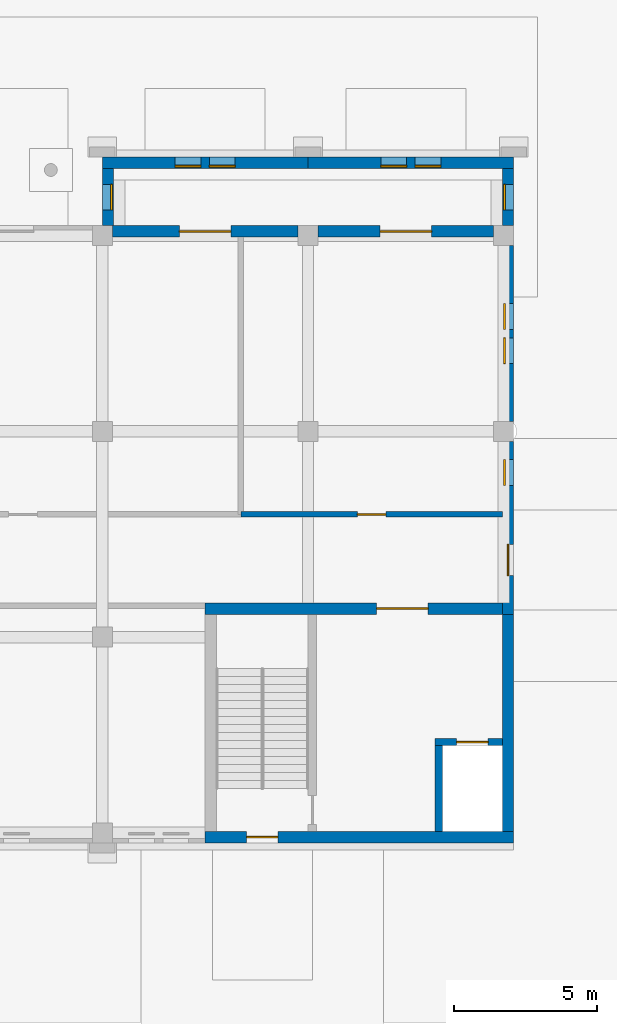
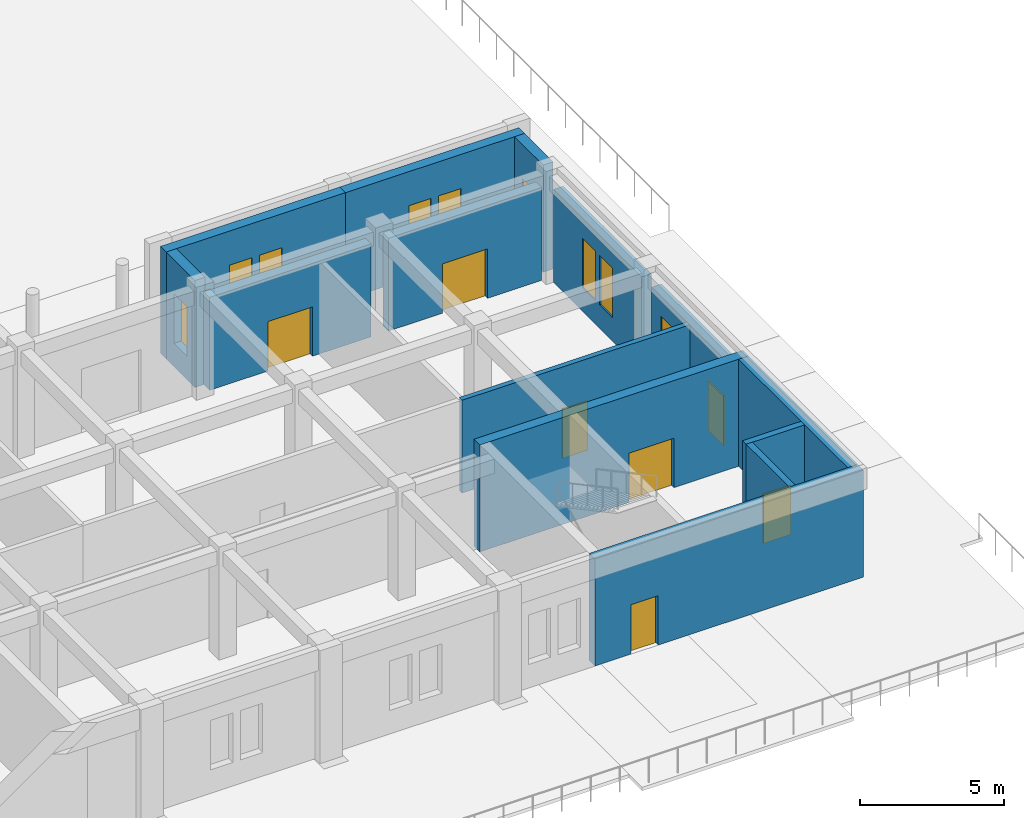
# One storey, part 93 of 131: 14 walls, 9 windows, 7 doors, 16 openings.
"""IFC4 building model written with IfcOpenShell, lengths in metres."""

from ifc_helpers import new_model, si_unit, direction, frame, frame_2d, origin, place, context, subcontext, project, spatial, rectangle, extrude, material, layer, layer_set, type_object, element, fill, save


model = new_model("IFC4")

# Units and contexts
model_context = context("Model", 3, precision=1e-05, world=origin(), true_north=direction((0.0, 1.0)))
body_context = subcontext(model_context, "Body", "Model", "MODEL_VIEW")
ifc_project = project(units=[si_unit("LENGTHUNIT", "METRE"), si_unit("AREAUNIT", "SQUARE_METRE"), si_unit("VOLUMEUNIT", "CUBIC_METRE"), si_unit("PLANEANGLEUNIT", "RADIAN"), si_unit("MASSUNIT", "GRAM", prefix="KILO")], contexts=[model_context])

# Site, building, storey
site_placement = place(None, origin())
site = spatial("IfcSite", under=ifc_project, at=site_placement, CompositionType="ELEMENT")
building_placement = place(site_placement, origin())
building = spatial("IfcBuilding", under=site, at=building_placement, Name="Alderwick Market Hall", CompositionType="ELEMENT")
storey_placement = place(building_placement, frame((0.0, 0.0, 4.800048828125)))
storey = spatial("IfcBuildingStorey", under=building, at=storey_placement, Name="L00", CompositionType="ELEMENT", Elevation=4.800048828125)

# Wall, opening, door
ifc_material_1 = material(Name="Concrete 5000 psi (f'c 35 MPa)", Category="concrete")
ifc_layer_1 = layer(ifc_material_1, 0.39990234375)
ifc_layer_set_1 = layer_set([ifc_layer_1], Name="Concrete 5000 psi (f'c 35 MPa)")
wall_type_1 = type_object("IfcWallType", Name="C Core Wall Concrete 5000 psi 400", PredefinedType="SHEAR", material=ifc_layer_set_1)
wall_1_placement = place(storey_placement, frame((230.39990234375, 7.39990234375, 0.0), z_axis=(0.0, 0.0, 1.0), x_axis=(-1.0, 0.0, 0.0)))
wall_1 = element("IfcWall", 1, at=wall_1_placement, inside=storey, type_object=wall_type_1, Name="C.wall.L00.fac.back.11", PredefinedType="SHEAR", context=body_context, shape_type="SweptSolid", body=[
    extrude(rectangle(XDim=10.7998046875, YDim=0.39990234375, at=frame_2d((5.39990234375, 0.0))), origin(), (0.0, 0.0, 1.0), 4.550048828125),
])
opening_1_placement = place(wall_1_placement, frame((8.25, 0.0, 0.0)))
opening_1 = element("IfcOpeningElement", 2, at=opening_1_placement, cuts=wall_1, Name="Opening C-D044", PredefinedType="OPENING", context=body_context, shape_type="SweptSolid", body=[
    extrude(rectangle(XDim=1.10009765625, YDim=2.10009765625, at=frame_2d((0.550048828125, 1.050048828125))), frame((0.0, 0.2099609375, 0.0), z_axis=(0.0, -1.0, 0.0), x_axis=(1.0, 0.0, 0.0)), (0.0, 0.0, 1.0), 0.419921875),
])
ifc_material_2 = material(Name="Steel, insulated", Category="steel")
door_type_1 = type_object("IfcDoorType", Name="C Exit Door FD60 1100x2100", OperationType="NOTDEFINED", PredefinedType="DOOR", material=ifc_material_2)
door_1_placement = place(opening_1_placement, origin())
door_1 = element("IfcDoor", 3, at=door_1_placement, inside=storey, type_object=door_type_1, Name="C.door.L00.044", OperationType="NOTDEFINED", OverallHeight=2.10009765625, OverallWidth=1.10009765625, PredefinedType="DOOR", context=body_context, shape_type="SweptSolid", body=[
    extrude(rectangle(XDim=1.10009765625, YDim=2.10009765625, at=frame_2d((0.550048828125, 1.050048828125))), frame((0.0, 0.02490234375, 0.0), z_axis=(0.0, -1.0, 0.0), x_axis=(1.0, 0.0, 0.0)), (0.0, 0.0, 1.0), 0.050048828125),
])
fill(opening_1, door_1)

# Wall
wall_2_placement = place(storey_placement, frame((230.199951171875, 15.199951171875, 0.0), z_axis=(0.0, 0.0, 1.0), x_axis=(0.0, -1.0, 0.0)))
element("IfcWall", 4, at=wall_2_placement, inside=storey, type_object=wall_type_1, Name="C.wall.L00.fac.east.03", PredefinedType="SHEAR", context=body_context, shape_type="SweptSolid", body=[
    extrude(rectangle(XDim=7.599853515625, YDim=0.39990234375, at=frame_2d((3.7998046875, 0.0))), origin(), (0.0, 0.0, 1.0), 4.550048828125),
])

# Wall, opening, door
wall_3_placement = place(storey_placement, frame((219.60009765625, 15.39990234375, 0.0), z_axis=(0.0, 0.0, 1.0), x_axis=(1.0, 0.0, 0.0)))
wall_3 = element("IfcWall", 5, at=wall_3_placement, inside=storey, type_object=wall_type_1, Name="C.wall.L00.core.C.front.01", PredefinedType="SHEAR", context=body_context, shape_type="SweptSolid", body=[
    extrude(rectangle(XDim=10.7998046875, YDim=0.39990234375, at=frame_2d((5.39990234375, 0.0))), origin(), (0.0, 0.0, 1.0), 4.550048828125),
])
opening_2_placement = place(wall_3_placement, frame((6.0, 0.0, 0.0)))
opening_2 = element("IfcOpeningElement", 6, at=opening_2_placement, cuts=wall_3, Name="Opening C-D042", PredefinedType="OPENING", context=body_context, shape_type="SweptSolid", body=[
    extrude(rectangle(XDim=1.800048828125, YDim=2.10009765625, at=frame_2d((0.89990234375, 1.050048828125))), frame((0.0, 0.2099609375, 0.0), z_axis=(0.0, -1.0, 0.0), x_axis=(1.0, 0.0, 0.0)), (0.0, 0.0, 1.0), 0.419921875),
])
door_type_2 = type_object("IfcDoorType", Name="C Fire Door Pair FD90 1800x2100", OperationType="NOTDEFINED", PredefinedType="DOOR", material=ifc_material_2)
door_2_placement = place(opening_2_placement, origin())
door_2 = element("IfcDoor", 7, at=door_2_placement, inside=storey, type_object=door_type_2, Name="C.door.L00.042", OperationType="NOTDEFINED", OverallHeight=2.10009765625, OverallWidth=1.800048828125, PredefinedType="DOOR", context=body_context, shape_type="SweptSolid", body=[
    extrude(rectangle(XDim=1.800048828125, YDim=2.10009765625, at=frame_2d((0.89990234375, 1.050048828125))), frame((0.0, 0.02490234375, 0.0), z_axis=(0.0, -1.0, 0.0), x_axis=(1.0, 0.0, 0.0)), (0.0, 0.0, 1.0), 0.050048828125),
])
fill(opening_2, door_2)

# Wall, openings, windows
ifc_layer_2 = layer(ifc_material_1, 0.39990234375)
ifc_layer_set_2 = layer_set([ifc_layer_2], Name="Concrete 5000 psi (f'c 35 MPa)")
wall_type_2 = type_object("IfcWallType", Name="C End Shear Wall Concrete 5000 psi 400", PredefinedType="SHEAR", material=ifc_layer_set_2)
wall_4_placement = place(storey_placement, frame((230.199951171875, 28.10009765625, 0.0), z_axis=(0.0, 0.0, 1.0), x_axis=(0.0, -1.0, 0.0)))
wall_4 = element("IfcWall", 8, at=wall_4_placement, inside=storey, type_object=wall_type_2, Name="C.wall.L00.fac.east.01", PredefinedType="SHEAR", context=body_context, shape_type="SweptSolid", body=[
    extrude(rectangle(XDim=6.150146484375, YDim=0.39990234375, at=frame_2d((3.0751953125, 0.0))), origin(), (0.0, 0.0, 1.0), 3.949951171875),
])
opening_3_placement = place(wall_4_placement, frame((2.02490234375, 0.0, 1.0)))
opening_3 = element("IfcOpeningElement", 9, at=opening_3_placement, cuts=wall_4, Name="Opening C-W022", PredefinedType="OPENING", context=body_context, shape_type="SweptSolid", body=[
    extrude(rectangle(XDim=0.89990234375, YDim=2.10009765625, at=frame_2d((0.449951171875, 1.050048828125))), frame((0.0, 0.2099609375, 0.0), z_axis=(0.0, -1.0, 0.0), x_axis=(1.0, 0.0, 0.0)), (0.0, 0.0, 1.0), 0.419921875),
])
opening_4_placement = place(wall_4_placement, frame((3.22509765625, 0.0, 1.0)))
opening_4 = element("IfcOpeningElement", 10, at=opening_4_placement, cuts=wall_4, Name="Opening C-W023", PredefinedType="OPENING", context=body_context, shape_type="SweptSolid", body=[
    extrude(rectangle(XDim=0.89990234375, YDim=2.10009765625, at=frame_2d((0.449951171875, 1.050048828125))), frame((0.0, 0.2099609375, 0.0), z_axis=(0.0, -1.0, 0.0), x_axis=(1.0, 0.0, 0.0)), (0.0, 0.0, 1.0), 0.419921875),
])
ifc_material_3 = material(Name="Aluminium frame, double glazing", Category="aluminium")
window_type = type_object("IfcWindowType", Name="C Paired Base Window 900x2100", PartitioningType="SINGLE_PANEL", PredefinedType="WINDOW", material=ifc_material_3)
window_1_placement = place(opening_3_placement, origin())
window_1 = element("IfcWindow", 11, at=window_1_placement, inside=storey, type_object=window_type, Name="C.win.L00.022", OverallHeight=2.10009765625, OverallWidth=0.89990234375, PartitioningType="SINGLE_PANEL", PredefinedType="WINDOW", context=body_context, shape_type="SweptSolid", body=[
    extrude(rectangle(XDim=0.89990234375, YDim=2.10009765625, at=frame_2d((0.449951171875, 1.050048828125))), frame((0.0, -0.090087890625, 0.0), z_axis=(0.0, -1.0, 0.0), x_axis=(1.0, 0.0, 0.0)), (0.0, 0.0, 1.0), 0.06005859375),
])
fill(opening_3, window_1)
window_2_placement = place(opening_4_placement, origin())
window_2 = element("IfcWindow", 12, at=window_2_placement, inside=storey, type_object=window_type, Name="C.win.L00.023", OverallHeight=2.10009765625, OverallWidth=0.89990234375, PartitioningType="SINGLE_PANEL", PredefinedType="WINDOW", context=body_context, shape_type="SweptSolid", body=[
    extrude(rectangle(XDim=0.89990234375, YDim=2.10009765625, at=frame_2d((0.449951171875, 1.050048828125))), frame((0.0, -0.090087890625, 0.0), z_axis=(0.0, -1.0, 0.0), x_axis=(1.0, 0.0, 0.0)), (0.0, 0.0, 1.0), 0.06005859375),
])
fill(opening_4, window_2)

# Wall, openings, door, window
wall_5_placement = place(storey_placement, frame((230.199951171875, 21.25, 0.0), z_axis=(0.0, 0.0, 1.0), x_axis=(0.0, -1.0, 0.0)))
wall_5 = element("IfcWall", 13, at=wall_5_placement, inside=storey, type_object=wall_type_2, Name="C.wall.L00.fac.east.02", PredefinedType="SHEAR", context=body_context, shape_type="SweptSolid", body=[
    extrude(rectangle(XDim=6.050048828125, YDim=0.39990234375, at=frame_2d((3.02490234375, 0.0))), origin(), (0.0, 0.0, 1.0), 3.949951171875),
])
opening_5_placement = place(wall_5_placement, frame((3.60009765625, 0.0, 0.0)))
opening_5 = element("IfcOpeningElement", 14, at=opening_5_placement, cuts=wall_5, Name="Opening C-D009", PredefinedType="OPENING", context=body_context, shape_type="SweptSolid", body=[
    extrude(rectangle(XDim=1.10009765625, YDim=2.10009765625, at=frame_2d((0.550048828125, 1.050048828125))), frame((0.0, 0.2099609375, 0.0), z_axis=(0.0, -1.0, 0.0), x_axis=(1.0, 0.0, 0.0)), (0.0, 0.0, 1.0), 0.419921875),
])
opening_6_placement = place(wall_5_placement, frame((0.638916015625, 0.0, 1.0)))
opening_6 = element("IfcOpeningElement", 15, at=opening_6_placement, cuts=wall_5, Name="Opening C-W024", PredefinedType="OPENING", context=body_context, shape_type="SweptSolid", body=[
    extrude(rectangle(XDim=0.89990234375, YDim=2.10009765625, at=frame_2d((0.449951171875, 1.050048828125))), frame((0.0, 0.2099609375, 0.0), z_axis=(0.0, -1.0, 0.0), x_axis=(1.0, 0.0, 0.0)), (0.0, 0.0, 1.0), 0.419921875),
])
door_3_placement = place(opening_5_placement, origin())
door_3 = element("IfcDoor", 16, at=door_3_placement, inside=storey, type_object=door_type_1, Name="C.door.L00.009", OperationType="NOTDEFINED", OverallHeight=2.10009765625, OverallWidth=1.10009765625, PredefinedType="DOOR", context=body_context, shape_type="SweptSolid", body=[
    extrude(rectangle(XDim=1.10009765625, YDim=2.10009765625, at=frame_2d((0.550048828125, 1.050048828125))), frame((0.0, 0.02490234375, 0.0), z_axis=(0.0, -1.0, 0.0), x_axis=(1.0, 0.0, 0.0)), (0.0, 0.0, 1.0), 0.050048828125),
])
fill(opening_5, door_3)
window_3_placement = place(opening_6_placement, origin())
window_3 = element("IfcWindow", 17, at=window_3_placement, inside=storey, type_object=window_type, Name="C.win.L00.024", OverallHeight=2.10009765625, OverallWidth=0.89990234375, PartitioningType="SINGLE_PANEL", PredefinedType="WINDOW", context=body_context, shape_type="SweptSolid", body=[
    extrude(rectangle(XDim=0.89990234375, YDim=2.10009765625, at=frame_2d((0.449951171875, 1.050048828125))), frame((0.0, -0.090087890625, 0.0), z_axis=(0.0, -1.0, 0.0), x_axis=(1.0, 0.0, 0.0)), (0.0, 0.0, 1.0), 0.06005859375),
])
fill(opening_6, window_3)

# Wall
ifc_layer_3 = layer(ifc_material_1, 0.25)
ifc_layer_set_3 = layer_set([ifc_layer_3], Name="Concrete 5000 psi (f'c 35 MPa)")
wall_type_3 = type_object("IfcWallType", Name="C Lift Shaft Wall Concrete 5000 psi 250", PredefinedType="SHEAR", material=ifc_layer_set_3)
wall_6_placement = place(storey_placement, frame((227.77490234375, 10.85009765625, 0.0), z_axis=(0.0, 0.0, 1.0), x_axis=(0.0, -1.0, 0.0)))
element("IfcWall", 18, at=wall_6_placement, inside=storey, type_object=wall_type_3, Name="C.wall.L00.core.C.shaftw.01", PredefinedType="SHEAR", context=body_context, shape_type="SweptSolid", body=[
    extrude(rectangle(XDim=3.25, YDim=0.25, at=frame_2d((1.625, 0.0))), origin(), (0.0, 0.0, 1.0), 4.550048828125),
])

# Wall, opening, door
wall_7_placement = place(storey_placement, frame((227.64990234375, 10.72509765625, 0.0), z_axis=(0.0, 0.0, 1.0), x_axis=(1.0, 0.0, 0.0)))
wall_7 = element("IfcWall", 19, at=wall_7_placement, inside=storey, type_object=wall_type_3, Name="C.wall.L00.core.C.shaftf.01", PredefinedType="SHEAR", context=body_context, shape_type="SweptSolid", body=[
    extrude(rectangle(XDim=2.35009765625, YDim=0.25, at=frame_2d((1.175048828125, 0.0))), origin(), (0.0, 0.0, 1.0), 4.550048828125),
])
opening_7_placement = place(wall_7_placement, frame((0.75, 0.0, 0.0)))
opening_7 = element("IfcOpeningElement", 20, at=opening_7_placement, cuts=wall_7, Name="Opening C-D043", PredefinedType="OPENING", context=body_context, shape_type="SweptSolid", body=[
    extrude(rectangle(XDim=1.10009765625, YDim=2.10009765625, at=frame_2d((0.550048828125, 1.050048828125))), frame((0.0, 0.135009765625, 0.0), z_axis=(0.0, -1.0, 0.0), x_axis=(1.0, 0.0, 0.0)), (0.0, 0.0, 1.0), 0.27001953125),
])
ifc_material_4 = material(Name="Stainless steel", Category="steel")
door_type_3 = type_object("IfcDoorType", Name="C Lift Landing Door 1100x2100", OperationType="SLIDING_TO_LEFT", PredefinedType="DOOR", material=ifc_material_4)
door_4_placement = place(opening_7_placement, origin())
door_4 = element("IfcDoor", 21, at=door_4_placement, inside=storey, type_object=door_type_3, Name="C.door.L00.043", OperationType="SLIDING_TO_LEFT", OverallHeight=2.10009765625, OverallWidth=1.10009765625, PredefinedType="DOOR", context=body_context, shape_type="SweptSolid", body=[
    extrude(rectangle(XDim=1.10009765625, YDim=2.10009765625, at=frame_2d((0.550048828125, 1.050048828125))), frame((0.0, 0.02490234375, 0.0), z_axis=(0.0, -1.0, 0.0), x_axis=(1.0, 0.0, 0.0)), (0.0, 0.0, 1.0), 0.050048828125),
])
fill(opening_7, door_4)

ifc_material_5 = material(Name="Gypsum board on steel studs", Category="steel")
ifc_layer_4 = layer(ifc_material_5, 0.199951171875)
ifc_layer_set_4 = layer_set([ifc_layer_4], Name="Gypsum board on steel studs")
wall_type_4 = type_object("IfcWallType", Name="C Partition Wall 200", PredefinedType="PARTITIONING", material=ifc_layer_set_4)
wall_8_placement = place(storey_placement, frame((220.85009765625, 18.699951171875, 0.0), z_axis=(0.0, 0.0, 1.0), x_axis=(1.0, 0.0, 0.0)))
wall_8 = element("IfcWall", 22, at=wall_8_placement, inside=storey, type_object=wall_type_4, Name="C.wall.L00.part.004", PredefinedType="PARTITIONING", context=body_context, shape_type="SweptSolid", body=[
    extrude(rectangle(XDim=9.14990234375, YDim=0.199951171875, at=frame_2d((4.574951171875, 0.0))), origin(), (0.0, 0.0, 1.0), 3.949951171875),
])
opening_8_placement = place(wall_8_placement, frame((4.074951171875, 0.0, 0.0)))
opening_8 = element("IfcOpeningElement", 23, at=opening_8_placement, cuts=wall_8, Name="Opening C-D048", PredefinedType="OPENING", context=body_context, shape_type="SweptSolid", body=[
    extrude(rectangle(XDim=1.0, YDim=2.10009765625, at=frame_2d((0.5, 1.050048828125))), frame((0.0, 0.10986328125, 0.0), z_axis=(0.0, -1.0, 0.0), x_axis=(1.0, 0.0, 0.0)), (0.0, 0.0, 1.0), 0.219970703125),
])
ifc_material_6 = material(Name="Timber, solid core", Category="wood")
door_type_4 = type_object("IfcDoorType", Name="C Door 1000x2100", OperationType="NOTDEFINED", PredefinedType="DOOR", material=ifc_material_6)
door_5_placement = place(opening_8_placement, origin())
door_5 = element("IfcDoor", 24, at=door_5_placement, inside=storey, type_object=door_type_4, Name="C.door.L00.048", OperationType="NOTDEFINED", OverallHeight=2.10009765625, OverallWidth=1.0, PredefinedType="DOOR", context=body_context, shape_type="SweptSolid", body=[
    extrude(rectangle(XDim=1.0, YDim=2.10009765625, at=frame_2d((0.5, 1.050048828125))), frame((0.0, 0.02490234375, 0.0), z_axis=(0.0, -1.0, 0.0), x_axis=(1.0, 0.0, 0.0)), (0.0, 0.0, 1.0), 0.050048828125),
])
fill(opening_8, door_5)

ifc_material_7 = material(Name="Cast stone 5000 psi", Category="masonry")
ifc_layer_5 = layer(ifc_material_7, 0.39990234375)
ifc_layer_set_5 = layer_set([ifc_layer_5], Name="Cast stone 5000 psi")
wall_type_5 = type_object("IfcWallType", Name="C Rusticated Cast Stone Wall 400", PredefinedType="SOLIDWALL", material=ifc_layer_set_5)
wall_9_placement = place(storey_placement, frame((216.35009765625, 28.60009765625, 0.0), z_axis=(0.0, 0.0, 1.0), x_axis=(1.0, 0.0, 0.0)))
wall_9 = element("IfcWall", 25, at=wall_9_placement, inside=storey, type_object=wall_type_5, Name="C.wall.L00.fac.front.09", PredefinedType="SOLIDWALL", context=body_context, shape_type="SweptSolid", body=[
    extrude(rectangle(XDim=6.5, YDim=0.39990234375, at=frame_2d((3.25, 0.0))), origin(), (0.0, 0.0, 1.0), 3.949951171875),
])
opening_9_placement = place(wall_9_placement, frame((2.35009765625, 0.0, 0.0)))
opening_9 = element("IfcOpeningElement", 26, at=opening_9_placement, cuts=wall_9, Name="Opening C-D006", PredefinedType="OPENING", context=body_context, shape_type="SweptSolid", body=[
    extrude(rectangle(XDim=1.800048828125, YDim=2.10009765625, at=frame_2d((0.89990234375, 1.050048828125))), frame((0.0, 0.2099609375, 0.0), z_axis=(0.0, -1.0, 0.0), x_axis=(1.0, 0.0, 0.0)), (0.0, 0.0, 1.0), 0.419921875),
])
door_type_5 = type_object("IfcDoorType", Name="C Door Pair 1800x2100", OperationType="NOTDEFINED", PredefinedType="DOOR", material=ifc_material_6)
door_6_placement = place(opening_9_placement, origin())
door_6 = element("IfcDoor", 27, at=door_6_placement, inside=storey, type_object=door_type_5, Name="C.door.L00.006", OperationType="NOTDEFINED", OverallHeight=2.10009765625, OverallWidth=1.800048828125, PredefinedType="DOOR", context=body_context, shape_type="SweptSolid", body=[
    extrude(rectangle(XDim=1.800048828125, YDim=2.10009765625, at=frame_2d((0.89990234375, 1.050048828125))), frame((0.0, 0.02490234375, 0.0), z_axis=(0.0, -1.0, 0.0), x_axis=(1.0, 0.0, 0.0)), (0.0, 0.0, 1.0), 0.050048828125),
])
fill(opening_9, door_6)

wall_10_placement = place(storey_placement, frame((223.550048828125, 28.60009765625, 0.0), z_axis=(0.0, 0.0, 1.0), x_axis=(1.0, 0.0, 0.0)))
wall_10 = element("IfcWall", 28, at=wall_10_placement, inside=storey, type_object=wall_type_5, Name="C.wall.L00.fac.front.10", PredefinedType="SOLIDWALL", context=body_context, shape_type="SweptSolid", body=[
    extrude(rectangle(XDim=6.14990234375, YDim=0.39990234375, at=frame_2d((3.074951171875, 0.0))), origin(), (0.0, 0.0, 1.0), 3.949951171875),
])
opening_10_placement = place(wall_10_placement, frame((2.175048828125, 0.0, 0.0)))
opening_10 = element("IfcOpeningElement", 29, at=opening_10_placement, cuts=wall_10, Name="Opening C-D007", PredefinedType="OPENING", context=body_context, shape_type="SweptSolid", body=[
    extrude(rectangle(XDim=1.800048828125, YDim=2.10009765625, at=frame_2d((0.89990234375, 1.050048828125))), frame((0.0, 0.2099609375, 0.0), z_axis=(0.0, -1.0, 0.0), x_axis=(1.0, 0.0, 0.0)), (0.0, 0.0, 1.0), 0.419921875),
])
door_7_placement = place(opening_10_placement, origin())
door_7 = element("IfcDoor", 30, at=door_7_placement, inside=storey, type_object=door_type_5, Name="C.door.L00.007", OperationType="NOTDEFINED", OverallHeight=2.10009765625, OverallWidth=1.800048828125, PredefinedType="DOOR", context=body_context, shape_type="SweptSolid", body=[
    extrude(rectangle(XDim=1.800048828125, YDim=2.10009765625, at=frame_2d((0.89990234375, 1.050048828125))), frame((0.0, 0.02490234375, 0.0), z_axis=(0.0, -1.0, 0.0), x_axis=(1.0, 0.0, 0.0)), (0.0, 0.0, 1.0), 0.050048828125),
])
fill(opening_10, door_7)

# Wall, openings, windows
wall_11_placement = place(storey_placement, frame((216.0, 31.0, 0.0), z_axis=(0.0, 0.0, 1.0), x_axis=(1.0, 0.0, 0.0)))
wall_11 = element("IfcWall", 31, at=wall_11_placement, inside=storey, type_object=wall_type_5, Name="C.wall.L00.pav2.front.01", PredefinedType="SOLIDWALL", context=body_context, shape_type="SweptSolid", body=[
    extrude(rectangle(XDim=7.199951171875, YDim=0.39990234375, at=frame_2d((3.60009765625, 0.0))), origin(), (0.0, 0.0, 1.0), 4.550048828125),
])
opening_11_placement = place(wall_11_placement, frame((2.550048828125, 0.0, 1.0)))
opening_11 = element("IfcOpeningElement", 32, at=opening_11_placement, cuts=wall_11, Name="Opening C-W088", PredefinedType="OPENING", context=body_context, shape_type="SweptSolid", body=[
    extrude(rectangle(XDim=0.89990234375, YDim=2.10009765625, at=frame_2d((0.449951171875, 1.050048828125))), frame((0.0, 0.2099609375, 0.0), z_axis=(0.0, -1.0, 0.0), x_axis=(1.0, 0.0, 0.0)), (0.0, 0.0, 1.0), 0.419921875),
])
opening_12_placement = place(wall_11_placement, frame((3.75, 0.0, 1.0)))
opening_12 = element("IfcOpeningElement", 33, at=opening_12_placement, cuts=wall_11, Name="Opening C-W089", PredefinedType="OPENING", context=body_context, shape_type="SweptSolid", body=[
    extrude(rectangle(XDim=0.89990234375, YDim=2.10009765625, at=frame_2d((0.449951171875, 1.050048828125))), frame((0.0, 0.2099609375, 0.0), z_axis=(0.0, -1.0, 0.0), x_axis=(1.0, 0.0, 0.0)), (0.0, 0.0, 1.0), 0.419921875),
])
window_4_placement = place(opening_11_placement, origin())
window_4 = element("IfcWindow", 34, at=window_4_placement, inside=storey, type_object=window_type, Name="C.win.L00.088", OverallHeight=2.10009765625, OverallWidth=0.89990234375, PartitioningType="SINGLE_PANEL", PredefinedType="WINDOW", context=body_context, shape_type="SweptSolid", body=[
    extrude(rectangle(XDim=0.89990234375, YDim=2.10009765625, at=frame_2d((0.449951171875, 1.050048828125))), frame((0.0, -0.090087890625, 0.0), z_axis=(0.0, -1.0, 0.0), x_axis=(1.0, 0.0, 0.0)), (0.0, 0.0, 1.0), 0.06005859375),
])
fill(opening_11, window_4)
window_5_placement = place(opening_12_placement, origin())
window_5 = element("IfcWindow", 35, at=window_5_placement, inside=storey, type_object=window_type, Name="C.win.L00.089", OverallHeight=2.10009765625, OverallWidth=0.89990234375, PartitioningType="SINGLE_PANEL", PredefinedType="WINDOW", context=body_context, shape_type="SweptSolid", body=[
    extrude(rectangle(XDim=0.89990234375, YDim=2.10009765625, at=frame_2d((0.449951171875, 1.050048828125))), frame((0.0, -0.090087890625, 0.0), z_axis=(0.0, -1.0, 0.0), x_axis=(1.0, 0.0, 0.0)), (0.0, 0.0, 1.0), 0.06005859375),
])
fill(opening_12, window_5)

wall_12_placement = place(storey_placement, frame((223.199951171875, 31.0, 0.0), z_axis=(0.0, 0.0, 1.0), x_axis=(1.0, 0.0, 0.0)))
wall_12 = element("IfcWall", 36, at=wall_12_placement, inside=storey, type_object=wall_type_5, Name="C.wall.L00.pav2.front.02", PredefinedType="SOLIDWALL", context=body_context, shape_type="SweptSolid", body=[
    extrude(rectangle(XDim=7.199951171875, YDim=0.39990234375, at=frame_2d((3.60009765625, 0.0))), origin(), (0.0, 0.0, 1.0), 4.550048828125),
])
opening_13_placement = place(wall_12_placement, frame((2.550048828125, 0.0, 1.0)))
opening_13 = element("IfcOpeningElement", 37, at=opening_13_placement, cuts=wall_12, Name="Opening C-W090", PredefinedType="OPENING", context=body_context, shape_type="SweptSolid", body=[
    extrude(rectangle(XDim=0.89990234375, YDim=2.10009765625, at=frame_2d((0.449951171875, 1.050048828125))), frame((0.0, 0.2099609375, 0.0), z_axis=(0.0, -1.0, 0.0), x_axis=(1.0, 0.0, 0.0)), (0.0, 0.0, 1.0), 0.419921875),
])
opening_14_placement = place(wall_12_placement, frame((3.75, 0.0, 1.0)))
opening_14 = element("IfcOpeningElement", 38, at=opening_14_placement, cuts=wall_12, Name="Opening C-W091", PredefinedType="OPENING", context=body_context, shape_type="SweptSolid", body=[
    extrude(rectangle(XDim=0.89990234375, YDim=2.10009765625, at=frame_2d((0.449951171875, 1.050048828125))), frame((0.0, 0.2099609375, 0.0), z_axis=(0.0, -1.0, 0.0), x_axis=(1.0, 0.0, 0.0)), (0.0, 0.0, 1.0), 0.419921875),
])
window_6_placement = place(opening_13_placement, origin())
window_6 = element("IfcWindow", 39, at=window_6_placement, inside=storey, type_object=window_type, Name="C.win.L00.090", OverallHeight=2.10009765625, OverallWidth=0.89990234375, PartitioningType="SINGLE_PANEL", PredefinedType="WINDOW", context=body_context, shape_type="SweptSolid", body=[
    extrude(rectangle(XDim=0.89990234375, YDim=2.10009765625, at=frame_2d((0.449951171875, 1.050048828125))), frame((0.0, -0.090087890625, 0.0), z_axis=(0.0, -1.0, 0.0), x_axis=(1.0, 0.0, 0.0)), (0.0, 0.0, 1.0), 0.06005859375),
])
fill(opening_13, window_6)
window_7_placement = place(opening_14_placement, origin())
window_7 = element("IfcWindow", 40, at=window_7_placement, inside=storey, type_object=window_type, Name="C.win.L00.091", OverallHeight=2.10009765625, OverallWidth=0.89990234375, PartitioningType="SINGLE_PANEL", PredefinedType="WINDOW", context=body_context, shape_type="SweptSolid", body=[
    extrude(rectangle(XDim=0.89990234375, YDim=2.10009765625, at=frame_2d((0.449951171875, 1.050048828125))), frame((0.0, -0.090087890625, 0.0), z_axis=(0.0, -1.0, 0.0), x_axis=(1.0, 0.0, 0.0)), (0.0, 0.0, 1.0), 0.06005859375),
])
fill(opening_14, window_7)

# Wall, opening, window
wall_13_placement = place(storey_placement, frame((216.199951171875, 28.800048828125, 0.0), z_axis=(0.0, 0.0, 1.0), x_axis=(0.0, 1.0, 0.0)))
wall_13 = element("IfcWall", 41, at=wall_13_placement, inside=storey, type_object=wall_type_5, Name="C.wall.L00.pav2.west.01", PredefinedType="SOLIDWALL", context=body_context, shape_type="SweptSolid", body=[
    extrude(rectangle(XDim=2.0, YDim=0.39990234375, at=frame_2d((1.0, 0.0))), origin(), (0.0, 0.0, 1.0), 4.550048828125),
])
opening_15_placement = place(wall_13_placement, frame((0.550048828125, 0.0, 1.0)))
opening_15 = element("IfcOpeningElement", 42, at=opening_15_placement, cuts=wall_13, Name="Opening C-W092", PredefinedType="OPENING", context=body_context, shape_type="SweptSolid", body=[
    extrude(rectangle(XDim=0.89990234375, YDim=2.10009765625, at=frame_2d((0.449951171875, 1.050048828125))), frame((0.0, 0.2099609375, 0.0), z_axis=(0.0, -1.0, 0.0), x_axis=(1.0, 0.0, 0.0)), (0.0, 0.0, 1.0), 0.419921875),
])
window_8_placement = place(opening_15_placement, origin())
window_8 = element("IfcWindow", 43, at=window_8_placement, inside=storey, type_object=window_type, Name="C.win.L00.092", OverallHeight=2.10009765625, OverallWidth=0.89990234375, PartitioningType="SINGLE_PANEL", PredefinedType="WINDOW", context=body_context, shape_type="SweptSolid", body=[
    extrude(rectangle(XDim=0.89990234375, YDim=2.10009765625, at=frame_2d((0.449951171875, 1.050048828125))), frame((0.0, -0.090087890625, 0.0), z_axis=(0.0, -1.0, 0.0), x_axis=(1.0, 0.0, 0.0)), (0.0, 0.0, 1.0), 0.06005859375),
])
fill(opening_15, window_8)

wall_14_placement = place(storey_placement, frame((230.199951171875, 30.800048828125, 0.0), z_axis=(0.0, 0.0, 1.0), x_axis=(0.0, -1.0, 0.0)))
wall_14 = element("IfcWall", 44, at=wall_14_placement, inside=storey, type_object=wall_type_5, Name="C.wall.L00.pav2.east.01", PredefinedType="SOLIDWALL", context=body_context, shape_type="SweptSolid", body=[
    extrude(rectangle(XDim=2.0, YDim=0.39990234375, at=frame_2d((1.0, 0.0))), origin(), (0.0, 0.0, 1.0), 4.550048828125),
])
opening_16_placement = place(wall_14_placement, frame((0.550048828125, 0.0, 1.0)))
opening_16 = element("IfcOpeningElement", 45, at=opening_16_placement, cuts=wall_14, Name="Opening C-W093", PredefinedType="OPENING", context=body_context, shape_type="SweptSolid", body=[
    extrude(rectangle(XDim=0.89990234375, YDim=2.10009765625, at=frame_2d((0.449951171875, 1.050048828125))), frame((0.0, 0.2099609375, 0.0), z_axis=(0.0, -1.0, 0.0), x_axis=(1.0, 0.0, 0.0)), (0.0, 0.0, 1.0), 0.419921875),
])
window_9_placement = place(opening_16_placement, origin())
window_9 = element("IfcWindow", 46, at=window_9_placement, inside=storey, type_object=window_type, Name="C.win.L00.093", OverallHeight=2.10009765625, OverallWidth=0.89990234375, PartitioningType="SINGLE_PANEL", PredefinedType="WINDOW", context=body_context, shape_type="SweptSolid", body=[
    extrude(rectangle(XDim=0.89990234375, YDim=2.10009765625, at=frame_2d((0.449951171875, 1.050048828125))), frame((0.0, -0.090087890625, 0.0), z_axis=(0.0, -1.0, 0.0), x_axis=(1.0, 0.0, 0.0)), (0.0, 0.0, 1.0), 0.06005859375),
])
fill(opening_16, window_9)

save(model, "model.ifc")
